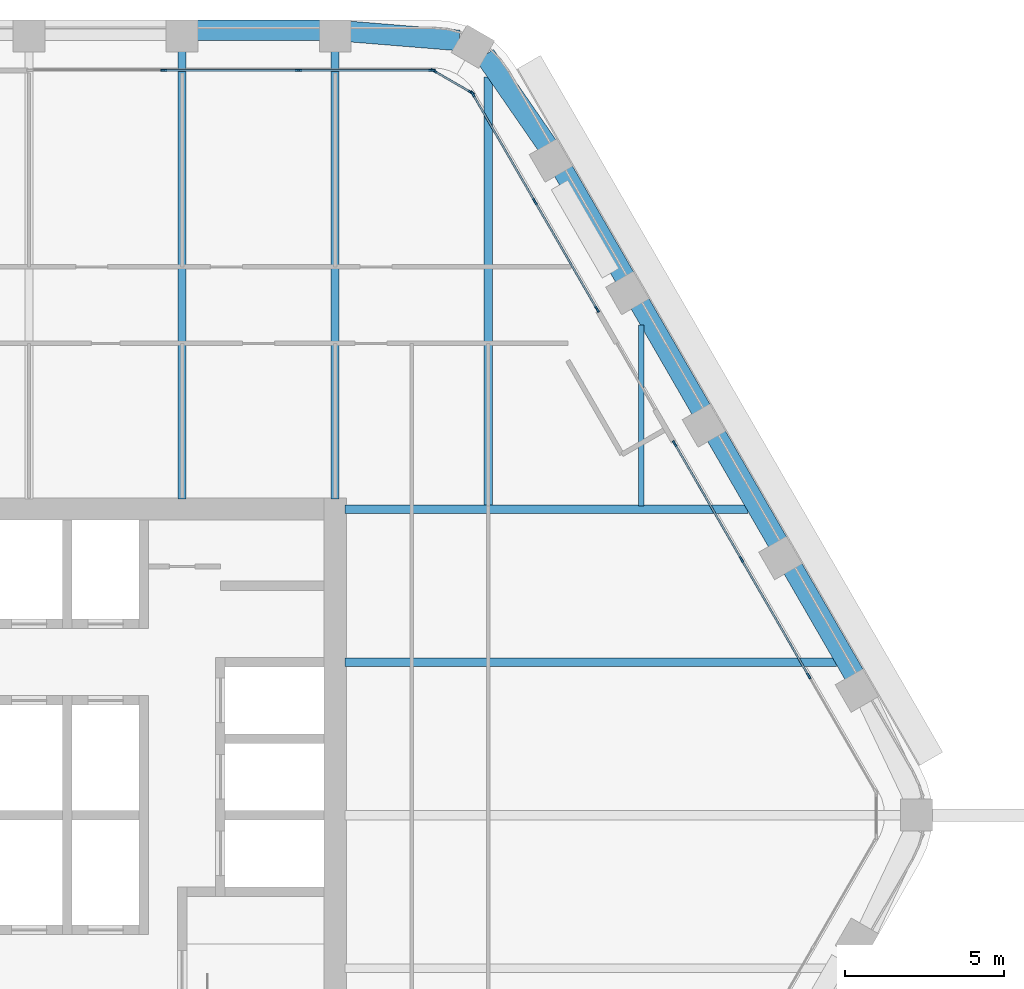
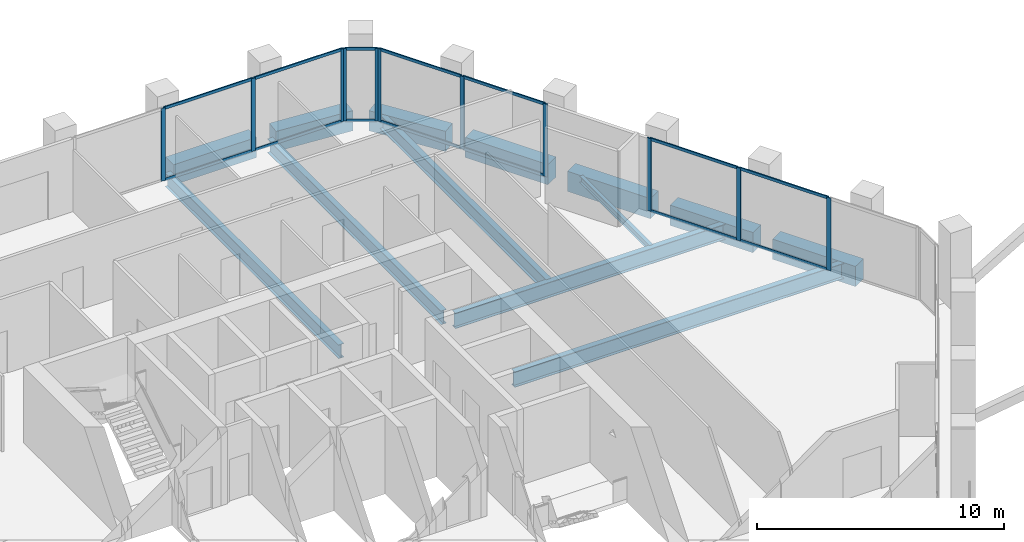
# One storey, part 7 of 16: 25 members, 13 beams, 4 elements without a shape of their own.
"""IFC4 building model written with IfcOpenShell, lengths in metres."""

from ifc_helpers import new_model, si_unit, direction, frame, origin, origin_2d, place, context, subcontext, project, spatial, rectangle, i_section, extrude, material, material_profile, profile_set, type_object, element, aggregate, save


model = new_model("IFC4")

# Units and contexts
model_context = context("Model", 3, precision=1e-05, world=origin(), true_north=direction((0.0, 1.0)))
body_context = subcontext(model_context, "Body", "Model", "MODEL_VIEW")
ifc_project = project(units=[si_unit("LENGTHUNIT", "METRE"), si_unit("AREAUNIT", "SQUARE_METRE"), si_unit("VOLUMEUNIT", "CUBIC_METRE"), si_unit("PLANEANGLEUNIT", "RADIAN"), si_unit("MASSUNIT", "GRAM", prefix="KILO")], contexts=[model_context])

# Site, building, storey
site_placement = place(None, origin())
site = spatial("IfcSite", under=ifc_project, at=site_placement, CompositionType="ELEMENT")
building_placement = place(site_placement, origin())
building = spatial("IfcBuilding", under=site, at=building_placement, Name="Kolab Exchange Tower", CompositionType="ELEMENT")
storey_placement = place(building_placement, frame((0.0, 0.0, 193.39990234375)))
storey = spatial("IfcBuildingStorey", under=building, at=storey_placement, Name="L41", CompositionType="ELEMENT", Elevation=193.39990234375)

# Beams
ifc_material_1 = material(Name="Steel S355", Category="steel")
ifc_material_profile_1 = material_profile(ifc_material_1, i_section(OverallWidth=0.1650390625, OverallDepth=0.31005859375, WebThickness=0.005859375, FlangeThickness=0.009765625, at=origin_2d()), Name="W310X39")
ifc_profile_set_1 = profile_set([ifc_material_profile_1], Name="Steel S355")
beam_type_1 = type_object("IfcBeamType", Name="FLOOR BEAM W310X39", PredefinedType="BEAM", material=ifc_profile_set_1)
beam_1_placement = place(storey_placement, frame((19.199951171875, 9.693603515625, -0.304931640625), z_axis=(0.0, 1.0, 0.0), x_axis=(-1.0, 0.0, 0.0)))
element("IfcBeam", 1, at=beam_1_placement, inside=storey, type_object=beam_type_1, Name="beam/L41/fr/023", PredefinedType="BEAM", context=body_context, shape_type="SweptSolid", body=[
    extrude(i_section(OverallWidth=0.1650390625, OverallDepth=0.31005859375, WebThickness=0.005859375, FlangeThickness=0.009765625, at=origin_2d()), origin(), (0.0, 0.0, 1.0), 5.674072265625),
])
ifc_material_profile_2 = material_profile(ifc_material_1, i_section(OverallWidth=0.25390625, OverallDepth=0.68408203125, WebThickness=0.012451171875, FlangeThickness=0.018798828125, at=origin_2d()), Name="W690X140")
ifc_profile_set_2 = profile_set([ifc_material_profile_2], Name="Steel S355")
beam_type_2 = type_object("IfcBeamType", Name="FLOOR BEAM W690X140", PredefinedType="BEAM", material=ifc_profile_set_2)
for number, where, z_axis, x_axis, name in (
    (2, (4.800048828125, 9.909912109375, -0.491943359375), (0.0, 1.0, 0.0), (-1.0, 0.0, 0.0), "beam/L41/fr/014"),
    (3, (9.60009765625, 9.909912109375, -0.491943359375), (0.0, 1.0, 0.0), (-1.0, 0.0, 0.0), "beam/L41/fr/016"),
):
    element("IfcBeam", number, at=place(storey_placement, frame(where, z_axis=z_axis, x_axis=x_axis)), inside=storey, type_object=beam_type_2, Name=name, PredefinedType="BEAM", context=body_context, shape_type="SweptSolid", body=[
        extrude(i_section(OverallWidth=0.25390625, OverallDepth=0.68408203125, WebThickness=0.012451171875, FlangeThickness=0.018798828125, at=origin_2d()), origin(), (0.0, 0.0, 1.0), 14.071533203125),
    ])
beam_2_placement = place(storey_placement, frame((14.39990234375, 9.693603515625, -0.491943359375), z_axis=(0.0, 1.0, 0.0), x_axis=(-1.0, 0.0, 0.0)))
element("IfcBeam", 4, at=beam_2_placement, inside=storey, type_object=beam_type_2, Name="beam/L41/fr/021", PredefinedType="BEAM", context=body_context, shape_type="SweptSolid", body=[
    extrude(i_section(OverallWidth=0.25390625, OverallDepth=0.68408203125, WebThickness=0.012451171875, FlangeThickness=0.018798828125, at=origin_2d()), origin(), (0.0, 0.0, 1.0), 13.462158203125),
])
ifc_material_profile_3 = material_profile(ifc_material_1, i_section(OverallWidth=0.26708984375, OverallDepth=0.761962890625, WebThickness=0.014404296875, FlangeThickness=0.021484375, at=origin_2d()), Name="W760X173")
ifc_profile_set_3 = profile_set([ifc_material_profile_3], Name="Steel S355")
beam_type_3 = type_object("IfcBeamType", Name="FLOOR BEAM W760X173", PredefinedType="BEAM", material=ifc_profile_set_3)
beam_3_placement = place(storey_placement, frame((9.909912109375, 4.800048828125, -0.531005859375), z_axis=(1.0, 0.0, 0.0), x_axis=(0.0, 1.0, 0.0)))
element("IfcBeam", 5, at=beam_3_placement, inside=storey, type_object=beam_type_3, Name="beam/L41/fr/019", PredefinedType="BEAM", context=body_context, shape_type="SweptSolid", body=[
    extrude(i_section(OverallWidth=0.26708984375, OverallDepth=0.761962890625, WebThickness=0.014404296875, FlangeThickness=0.021484375, at=origin_2d()), origin(), (0.0, 0.0, 1.0), 15.408203125),
])
ifc_material_profile_4 = material_profile(ifc_material_1, i_section(OverallWidth=0.26708984375, OverallDepth=0.761962890625, WebThickness=0.014404296875, FlangeThickness=0.021484375, at=origin_2d()), Name="W760X173")
ifc_profile_set_4 = profile_set([ifc_material_profile_4], Name="Steel S355")
beam_type_4 = type_object("IfcBeamType", Name="FLOOR GIRDER W760X173", PredefinedType="BEAM", material=ifc_profile_set_4)
beam_4_placement = place(storey_placement, frame((9.909912109375, 9.60009765625, -0.531005859375), z_axis=(1.0, 0.0, 0.0), x_axis=(0.0, 1.0, 0.0)))
element("IfcBeam", 6, at=beam_4_placement, inside=storey, type_object=beam_type_4, Name="beam/L41/gd/003", PredefinedType="BEAM", context=body_context, shape_type="SweptSolid", body=[
    extrude(i_section(OverallWidth=0.26708984375, OverallDepth=0.761962890625, WebThickness=0.014404296875, FlangeThickness=0.021484375, at=origin_2d()), origin(), (0.0, 0.0, 1.0), 12.636962890625),
])
ifc_material_2 = material(Name="Concrete C60/75", Category="concrete")
ifc_material_profile_5 = material_profile(ifc_material_2, rectangle(XDim=0.64990234375, YDim=1.0, at=origin_2d()), Name="RC650X1000")
ifc_profile_set_5 = profile_set([ifc_material_profile_5], Name="Concrete C60/75")
beam_type_5 = type_object("IfcBeamType", Name="SPANDREL BEAM 650X1000 C60/75", PredefinedType="BEAM", material=ifc_profile_set_5)
beam_5_placement = place(storey_placement, frame((5.260009765625, 24.616455078125, -0.64990234375), z_axis=(1.0, 0.0, 0.0), x_axis=(0.0, 1.0, 0.0)))
element("IfcBeam", 7, at=beam_5_placement, inside=storey, type_object=beam_type_5, Name="beam/L41/sp/F1-05", PredefinedType="BEAM", context=body_context, shape_type="SweptSolid", body=[
    extrude(rectangle(XDim=0.64990234375, YDim=1.0, at=origin_2d()), origin(), (0.0, 0.0, 1.0), 3.8798828125),
])
for number, where, z_axis, x_axis, name in (
    (8, (10.06005859375, 24.5791015625, -0.64990234375), (0.996708497182, -0.081068931445, 0.0), (0.081068931445, 0.996708497182, 0.0), "beam/L41/sp/F1-06"),
    (9, (14.29736328125, 23.8359375, -0.64990234375), (0.568572281073, -0.822633309073, 0.0), (0.822633309073, 0.568572281073, 0.0), "beam/L41/sp/F2-01"),
):
    element("IfcBeam", number, at=place(storey_placement, frame(where, z_axis=z_axis, x_axis=x_axis)), inside=storey, type_object=beam_type_5, Name=name, PredefinedType="BEAM", context=body_context, shape_type="SweptSolid", body=[
        extrude(rectangle(XDim=0.64990234375, YDim=1.0, at=origin_2d()), origin(), (0.0, 0.0, 1.0), 3.445068359375),
    ])
beam_6_placement = place(storey_placement, frame((16.74853515625, 20.2236328125, -0.64990234375), z_axis=(0.499996613652, -0.866027358884, 0.0), x_axis=(0.866027358884, 0.499996613652, 0.0)))
element("IfcBeam", 10, at=beam_6_placement, inside=storey, type_object=beam_type_5, Name="beam/L41/sp/F2-02", PredefinedType="BEAM", context=body_context, shape_type="SweptSolid", body=[
    extrude(rectangle(XDim=0.64990234375, YDim=1.0, at=origin_2d()), origin(), (0.0, 0.0, 1.0), 3.8798828125),
])
beam_7_placement = place(storey_placement, frame((19.1484375, 16.06689453125, -0.64990234375), z_axis=(0.50001655835, -0.866015843605, 0.0), x_axis=(0.866015843605, 0.50001655835, 0.0)))
element("IfcBeam", 11, at=beam_7_placement, inside=storey, type_object=beam_type_5, Name="beam/L41/sp/F2-03", PredefinedType="BEAM", context=body_context, shape_type="SweptSolid", body=[
    extrude(rectangle(XDim=0.64990234375, YDim=1.0, at=origin_2d()), origin(), (0.0, 0.0, 1.0), 3.880126953125),
])
for number, where, z_axis, x_axis, name in (
    (12, (21.548583984375, 11.909912109375, -0.64990234375), (0.499996613652, -0.866027358884, 0.0), (0.866027358884, 0.499996613652, 0.0), "beam/L41/sp/F2-04"),
    (13, (23.948486328125, 7.7529296875, -0.64990234375), (0.499996613652, -0.866027358884, 0.0), (0.866027358884, 0.499996613652, 0.0), "beam/L41/sp/F2-05"),
):
    element("IfcBeam", number, at=place(storey_placement, frame(where, z_axis=z_axis, x_axis=x_axis)), inside=storey, type_object=beam_type_5, Name=name, PredefinedType="BEAM", context=body_context, shape_type="SweptSolid", body=[
        extrude(rectangle(XDim=0.64990234375, YDim=1.0, at=origin_2d()), origin(), (0.0, 0.0, 1.0), 3.8798828125),
    ])

# Curtain wall, members
ifc_material_3 = material(Name="Aluminium EN AW-6063 T6", Category="aluminium")
curtain_wall_type = type_object("IfcCurtainWallType", Name="UNITISED UPPER MID ZONE CURTAIN WALL", PredefinedType="NOTDEFINED", material=ifc_material_3)
curtain_wall_1_placement = place(storey_placement, origin())
curtain_wall_1 = element("IfcCurtainWall", 14, at=curtain_wall_1_placement, inside=storey, type_object=curtain_wall_type, Name="cw/L41/F1-2", PredefinedType="NOTDEFINED")
ifc_material_profile_6 = material_profile(ifc_material_3, rectangle(XDim=0.06005859375, YDim=0.199951171875, at=origin_2d()), Name="RECT 60X200")
ifc_profile_set_6 = profile_set([ifc_material_profile_6], Name="Aluminium EN AW-6063 T6")
member_type_1 = type_object("IfcMemberType", Name="UNITISED UPPER MID ZONE MULLION 60 X 200", PredefinedType="MULLION", material=ifc_profile_set_6)
member_1_placement = place(storey_placement, frame((4.22265625, 23.361572265625, 0.0), z_axis=(0.0, 0.0, 1.0), x_axis=(0.0, 1.0, 0.0)))
member_1 = element("IfcMember", 15, at=member_1_placement, type_object=member_type_1, Name="CW3 mullion 2", PredefinedType="MULLION", context=body_context, shape_type="SweptSolid", body=[
    extrude(rectangle(XDim=0.06005859375, YDim=0.199951171875, at=origin_2d()), origin(), (0.0, 0.0, 1.0), 3.60009765625),
])
member_2_placement = place(storey_placement, frame((8.4453125, 23.361572265625, 0.0), z_axis=(0.0, 0.0, 1.0), x_axis=(0.0, 1.0, 0.0)))
member_2 = element("IfcMember", 16, at=member_2_placement, type_object=member_type_1, Name="CW3 mullion 3", PredefinedType="MULLION", context=body_context, shape_type="SweptSolid", body=[
    extrude(rectangle(XDim=0.06005859375, YDim=0.199951171875, at=origin_2d()), origin(), (0.0, 0.0, 1.0), 3.60009765625),
])
member_3_placement = place(storey_placement, frame((12.637939453125, 23.361572265625, 0.0), z_axis=(0.0, 0.0, 1.0), x_axis=(0.0, 1.0, 0.0)))
member_3 = element("IfcMember", 17, at=member_3_placement, type_object=member_type_1, Name="CW3 mullion 4", PredefinedType="MULLION", context=body_context, shape_type="SweptSolid", body=[
    extrude(rectangle(XDim=0.06005859375, YDim=0.199951171875, at=origin_2d()), origin(), (0.0, 0.0, 1.0), 3.60009765625),
])

curtain_wall_2_placement = place(storey_placement, origin())
curtain_wall_2 = element("IfcCurtainWall", 18, at=curtain_wall_2_placement, inside=storey, type_object=curtain_wall_type, Name="cw/L41/F2-1", PredefinedType="NOTDEFINED")
member_4_placement = place(storey_placement, frame((13.91259765625, 22.62548828125, 0.0), z_axis=(0.0, 0.0, 1.0), x_axis=(0.866025385493, 0.500000031681, 0.0)))
member_4 = element("IfcMember", 19, at=member_4_placement, type_object=member_type_1, Name="CW3 mullion 1", PredefinedType="MULLION", context=body_context, shape_type="SweptSolid", body=[
    extrude(rectangle(XDim=0.06005859375, YDim=0.199951171875, at=origin_2d()), origin(), (0.0, 0.0, 1.0), 3.60009765625),
])
member_5_placement = place(storey_placement, frame((15.86474609375, 19.24462890625, 0.0), z_axis=(0.0, 0.0, 1.0), x_axis=(0.866025385493, 0.500000031681, 0.0)))
member_5 = element("IfcMember", 20, at=member_5_placement, type_object=member_type_1, Name="CW3 mullion 2", PredefinedType="MULLION", context=body_context, shape_type="SweptSolid", body=[
    extrude(rectangle(XDim=0.06005859375, YDim=0.199951171875, at=origin_2d()), origin(), (0.0, 0.0, 1.0), 3.60009765625),
])
member_6_placement = place(storey_placement, frame((17.816650390625, 15.86376953125, 0.0), z_axis=(0.0, 0.0, 1.0), x_axis=(0.866025385493, 0.500000031681, 0.0)))
member_6 = element("IfcMember", 21, at=member_6_placement, type_object=member_type_1, Name="CW3 mullion 3", PredefinedType="MULLION", context=body_context, shape_type="SweptSolid", body=[
    extrude(rectangle(XDim=0.06005859375, YDim=0.199951171875, at=origin_2d()), origin(), (0.0, 0.0, 1.0), 3.60009765625),
])

curtain_wall_3_placement = place(storey_placement, origin())
curtain_wall_3 = element("IfcCurtainWall", 22, at=curtain_wall_3_placement, inside=storey, type_object=curtain_wall_type, Name="cw/L41/F2-2", PredefinedType="NOTDEFINED")
member_7_placement = place(storey_placement, frame((20.24658203125, 11.65478515625, 0.0), z_axis=(0.0, 0.0, 1.0), x_axis=(0.866025427826, 0.499999958358, 0.0)))
member_7 = element("IfcMember", 23, at=member_7_placement, type_object=member_type_1, Name="CW3 mullion 1", PredefinedType="MULLION", context=body_context, shape_type="SweptSolid", body=[
    extrude(rectangle(XDim=0.06005859375, YDim=0.199951171875, at=origin_2d()), origin(), (0.0, 0.0, 1.0), 3.60009765625),
])
member_8_placement = place(storey_placement, frame((22.343017578125, 8.02392578125, 0.0), z_axis=(0.0, 0.0, 1.0), x_axis=(0.866025427826, 0.499999958358, 0.0)))
member_8 = element("IfcMember", 24, at=member_8_placement, type_object=member_type_1, Name="CW3 mullion 2", PredefinedType="MULLION", context=body_context, shape_type="SweptSolid", body=[
    extrude(rectangle(XDim=0.06005859375, YDim=0.199951171875, at=origin_2d()), origin(), (0.0, 0.0, 1.0), 3.60009765625),
])
member_9_placement = place(storey_placement, frame((24.454345703125, 4.366943359375, 0.0), z_axis=(0.0, 0.0, 1.0), x_axis=(0.866025427826, 0.499999958358, 0.0)))
member_9 = element("IfcMember", 25, at=member_9_placement, type_object=member_type_1, Name="CW3 mullion 3", PredefinedType="MULLION", context=body_context, shape_type="SweptSolid", body=[
    extrude(rectangle(XDim=0.06005859375, YDim=0.199951171875, at=origin_2d()), origin(), (0.0, 0.0, 1.0), 3.60009765625),
])

curtain_wall_4_placement = place(storey_placement, origin())
curtain_wall_4 = element("IfcCurtainWall", 26, at=curtain_wall_4_placement, inside=storey, type_object=curtain_wall_type, Name="cw/L41/F1F2-corner", PredefinedType="NOTDEFINED")
member_10_placement = place(storey_placement, frame((12.69384765625, 23.346435546875, 0.0), z_axis=(0.0, 0.0, 1.0), x_axis=(0.50000002237, 0.866025390869, 0.0)))
member_10 = element("IfcMember", 27, at=member_10_placement, type_object=member_type_1, Name="CW3 mullion 1", PredefinedType="MULLION", context=body_context, shape_type="SweptSolid", body=[
    extrude(rectangle(XDim=0.06005859375, YDim=0.199951171875, at=origin_2d()), origin(), (0.0, 0.0, 1.0), 3.60009765625),
])
member_11_placement = place(storey_placement, frame((13.871826171875, 22.66650390625, 0.0), z_axis=(0.0, 0.0, 1.0), x_axis=(0.50000002237, 0.866025390869, 0.0)))
member_11 = element("IfcMember", 28, at=member_11_placement, type_object=member_type_1, Name="CW3 mullion 2", PredefinedType="MULLION", context=body_context, shape_type="SweptSolid", body=[
    extrude(rectangle(XDim=0.06005859375, YDim=0.199951171875, at=origin_2d()), origin(), (0.0, 0.0, 1.0), 3.60009765625),
])

# Member
ifc_material_profile_7 = material_profile(ifc_material_3, rectangle(XDim=0.06005859375, YDim=0.139892578125, at=origin_2d()), Name="RECT 60X140")
ifc_profile_set_7 = profile_set([ifc_material_profile_7], Name="Aluminium EN AW-6063 T6")
member_type_2 = type_object("IfcMemberType", Name="UNITISED UPPER MID ZONE TRANSOM 60 X 140", PredefinedType="USERDEFINED", material=ifc_profile_set_7)
member_12_placement = place(storey_placement, frame((4.252685546875, 23.361572265625, 0.030029296875), z_axis=(1.0, 0.0, 0.0), x_axis=(0.0, 1.0, 0.0)))
member_12 = element("IfcMember", 29, at=member_12_placement, type_object=member_type_2, Name="CW3 transom 2.1", ObjectType="TRANSOM", PredefinedType="USERDEFINED", context=body_context, shape_type="SweptSolid", body=[
    extrude(rectangle(XDim=0.06005859375, YDim=0.139892578125, at=origin_2d()), origin(), (0.0, 0.0, 1.0), 4.16259765625),
])

member_13_placement = place(storey_placement, frame((4.252685546875, 23.361572265625, 3.570068359375), z_axis=(1.0, 0.0, 0.0), x_axis=(0.0, 1.0, 0.0)))
member_13 = element("IfcMember", 30, at=member_13_placement, type_object=member_type_2, Name="CW3 transom 2.2", ObjectType="TRANSOM", PredefinedType="USERDEFINED", context=body_context, shape_type="SweptSolid", body=[
    extrude(rectangle(XDim=0.06005859375, YDim=0.139892578125, at=origin_2d()), origin(), (0.0, 0.0, 1.0), 4.16259765625),
])

member_14_placement = place(storey_placement, frame((8.475341796875, 23.361572265625, 0.030029296875), z_axis=(1.0, 0.0, 0.0), x_axis=(0.0, 1.0, 0.0)))
member_14 = element("IfcMember", 31, at=member_14_placement, type_object=member_type_2, Name="CW3 transom 3.1", ObjectType="TRANSOM", PredefinedType="USERDEFINED", context=body_context, shape_type="SweptSolid", body=[
    extrude(rectangle(XDim=0.06005859375, YDim=0.139892578125, at=origin_2d()), origin(), (0.0, 0.0, 1.0), 4.132568359375),
])

member_15_placement = place(storey_placement, frame((8.475341796875, 23.361572265625, 3.570068359375), z_axis=(1.0, 0.0, 0.0), x_axis=(0.0, 1.0, 0.0)))
member_15 = element("IfcMember", 32, at=member_15_placement, type_object=member_type_2, Name="CW3 transom 3.2", ObjectType="TRANSOM", PredefinedType="USERDEFINED", context=body_context, shape_type="SweptSolid", body=[
    extrude(rectangle(XDim=0.06005859375, YDim=0.139892578125, at=origin_2d()), origin(), (0.0, 0.0, 1.0), 4.132568359375),
])

aggregate(curtain_wall_1, [member_1, member_2, member_3, member_12, member_13, member_14, member_15])

member_16_placement = place(storey_placement, frame((13.927734375, 22.599609375, 0.030029296875), z_axis=(0.499964356602, -0.866045981532, 0.0), x_axis=(0.866045981532, 0.499964356602, 0.0)))
member_16 = element("IfcMember", 33, at=member_16_placement, type_object=member_type_2, Name="CW3 transom 1.1", ObjectType="TRANSOM", PredefinedType="USERDEFINED", context=body_context, shape_type="SweptSolid", body=[
    extrude(rectangle(XDim=0.06005859375, YDim=0.139892578125, at=origin_2d()), origin(), (0.0, 0.0, 1.0), 3.843994140625),
])

member_17_placement = place(storey_placement, frame((13.927734375, 22.599609375, 3.570068359375), z_axis=(0.499964356602, -0.866045981532, 0.0), x_axis=(0.866045981532, 0.499964356602, 0.0)))
member_17 = element("IfcMember", 34, at=member_17_placement, type_object=member_type_2, Name="CW3 transom 1.2", ObjectType="TRANSOM", PredefinedType="USERDEFINED", context=body_context, shape_type="SweptSolid", body=[
    extrude(rectangle(XDim=0.06005859375, YDim=0.139892578125, at=origin_2d()), origin(), (0.0, 0.0, 1.0), 3.843994140625),
])

member_18_placement = place(storey_placement, frame((15.879638671875, 19.21875, 0.030029296875), z_axis=(0.500011990396, -0.866018481016, 0.0), x_axis=(0.866018481016, 0.500011990396, 0.0)))
member_18 = element("IfcMember", 35, at=member_18_placement, type_object=member_type_2, Name="CW3 transom 2.1", ObjectType="TRANSOM", PredefinedType="USERDEFINED", context=body_context, shape_type="SweptSolid", body=[
    extrude(rectangle(XDim=0.06005859375, YDim=0.139892578125, at=origin_2d()), origin(), (0.0, 0.0, 1.0), 3.84423828125),
])

member_19_placement = place(storey_placement, frame((15.879638671875, 19.21875, 3.570068359375), z_axis=(0.500011990396, -0.866018481016, 0.0), x_axis=(0.866018481016, 0.500011990396, 0.0)))
member_19 = element("IfcMember", 36, at=member_19_placement, type_object=member_type_2, Name="CW3 transom 2.2", ObjectType="TRANSOM", PredefinedType="USERDEFINED", context=body_context, shape_type="SweptSolid", body=[
    extrude(rectangle(XDim=0.06005859375, YDim=0.139892578125, at=origin_2d()), origin(), (0.0, 0.0, 1.0), 3.84423828125),
])

aggregate(curtain_wall_2, [member_4, member_5, member_6, member_16, member_17, member_18, member_19])

member_20_placement = place(storey_placement, frame((20.26171875, 11.62890625, 0.030029296875), z_axis=(0.500001996123, -0.866024251319, 0.0), x_axis=(0.866024251319, 0.500001996123, 0.0)))
member_20 = element("IfcMember", 37, at=member_20_placement, type_object=member_type_2, Name="CW3 transom 1.1", ObjectType="TRANSOM", PredefinedType="USERDEFINED", context=body_context, shape_type="SweptSolid", body=[
    extrude(rectangle(XDim=0.06005859375, YDim=0.139892578125, at=origin_2d()), origin(), (0.0, 0.0, 1.0), 4.1328125),
])

member_21_placement = place(storey_placement, frame((20.26171875, 11.62890625, 3.570068359375), z_axis=(0.500001996123, -0.866024251319, 0.0), x_axis=(0.866024251319, 0.500001996123, 0.0)))
member_21 = element("IfcMember", 38, at=member_21_placement, type_object=member_type_2, Name="CW3 transom 1.2", ObjectType="TRANSOM", PredefinedType="USERDEFINED", context=body_context, shape_type="SweptSolid", body=[
    extrude(rectangle(XDim=0.06005859375, YDim=0.139892578125, at=origin_2d()), origin(), (0.0, 0.0, 1.0), 4.1328125),
])

member_22_placement = place(storey_placement, frame((22.35791015625, 7.997802734375, 0.030029296875), z_axis=(0.49999322259, -0.866029316688, 0.0), x_axis=(0.866029316688, 0.49999322259, 0.0)))
member_22 = element("IfcMember", 39, at=member_22_placement, type_object=member_type_2, Name="CW3 transom 2.1", ObjectType="TRANSOM", PredefinedType="USERDEFINED", context=body_context, shape_type="SweptSolid", body=[
    extrude(rectangle(XDim=0.06005859375, YDim=0.139892578125, at=origin_2d()), origin(), (0.0, 0.0, 1.0), 4.16259765625),
])

member_23_placement = place(storey_placement, frame((22.35791015625, 7.997802734375, 3.570068359375), z_axis=(0.49999322259, -0.866029316688, 0.0), x_axis=(0.866029316688, 0.49999322259, 0.0)))
member_23 = element("IfcMember", 40, at=member_23_placement, type_object=member_type_2, Name="CW3 transom 2.2", ObjectType="TRANSOM", PredefinedType="USERDEFINED", context=body_context, shape_type="SweptSolid", body=[
    extrude(rectangle(XDim=0.06005859375, YDim=0.139892578125, at=origin_2d()), origin(), (0.0, 0.0, 1.0), 4.16259765625),
])

aggregate(curtain_wall_3, [member_7, member_8, member_9, member_20, member_21, member_22, member_23])

member_24_placement = place(storey_placement, frame((12.719970703125, 23.33154296875, 0.030029296875), z_axis=(0.86603858612, -0.49997716683, 0.0), x_axis=(0.49997716683, 0.86603858612, 0.0)))
member_24 = element("IfcMember", 41, at=member_24_placement, type_object=member_type_2, Name="CW3 transom 1.1", ObjectType="TRANSOM", PredefinedType="USERDEFINED", context=body_context, shape_type="SweptSolid", body=[
    extrude(rectangle(XDim=0.06005859375, YDim=0.139892578125, at=origin_2d()), origin(), (0.0, 0.0, 1.0), 1.2998046875),
])

member_25_placement = place(storey_placement, frame((12.719970703125, 23.33154296875, 3.570068359375), z_axis=(0.86603858612, -0.49997716683, 0.0), x_axis=(0.49997716683, 0.86603858612, 0.0)))
member_25 = element("IfcMember", 42, at=member_25_placement, type_object=member_type_2, Name="CW3 transom 1.2", ObjectType="TRANSOM", PredefinedType="USERDEFINED", context=body_context, shape_type="SweptSolid", body=[
    extrude(rectangle(XDim=0.06005859375, YDim=0.139892578125, at=origin_2d()), origin(), (0.0, 0.0, 1.0), 1.2998046875),
])

aggregate(curtain_wall_4, [member_10, member_11, member_24, member_25])

save(model, "model.ifc")
